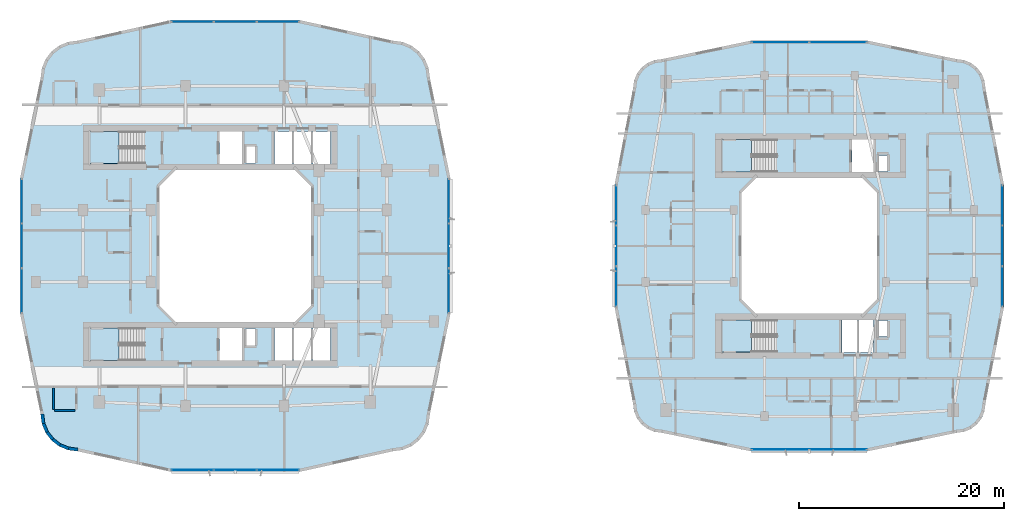
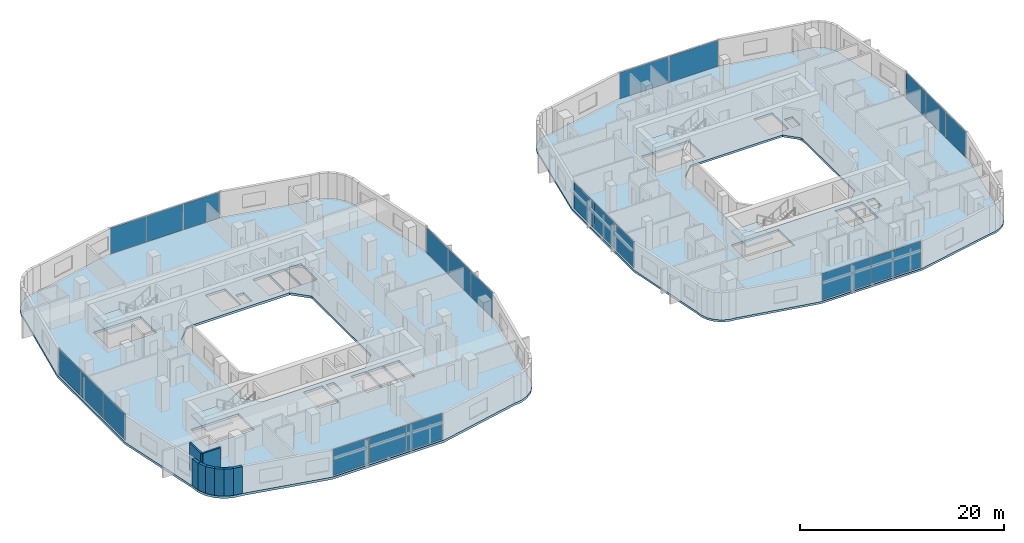
# One storey, part 12 of 26: 22 plates, 8 walls, 6 slabs, 12 elements without a shape of their own.
"""IFC4 building model written with IfcOpenShell, lengths in metres."""

from ifc_helpers import new_model, si_unit, derived_unit, direction, frame, frame_2d, origin, origin_2d, place, context, subcontext, project, spatial, polyline, rectangle, outline, extrude, material, layer, layer_set, type_object, element, aggregate, save


model = new_model("IFC4")

# Units and contexts
model_context = context("Model", 3, precision=1e-05, world=origin(), true_north=direction((0.0, 1.0)))
body_context = subcontext(model_context, "Body", "Model", "MODEL_VIEW")
ifc_project = project(units=[si_unit("LENGTHUNIT", "METRE"), si_unit("AREAUNIT", "SQUARE_METRE"), si_unit("VOLUMEUNIT", "CUBIC_METRE"), si_unit("PLANEANGLEUNIT", "RADIAN"), si_unit("MASSUNIT", "GRAM", prefix="KILO"), derived_unit("THERMALTRANSMITTANCEUNIT", [(si_unit("POWERUNIT", "WATT"), 1), (si_unit("LENGTHUNIT", "METRE"), -2), (si_unit("THERMODYNAMICTEMPERATUREUNIT", "KELVIN"), -1)])], contexts=[model_context])

# Site, building, storey
site_placement = place(None, origin())
site = spatial("IfcSite", under=ifc_project, at=site_placement, CompositionType="ELEMENT")
building_placement = place(site_placement, origin())
building = spatial("IfcBuilding", under=site, at=building_placement, Name="Kivonza Crest Hotel", CompositionType="ELEMENT")
storey_placement = place(building_placement, frame((0.0, 0.0, 45.0)))
storey = spatial("IfcBuildingStorey", under=building, at=storey_placement, Name="L11", CompositionType="ELEMENT", Elevation=45.0)

# Curtain wall, plates
ifc_material_1 = material(Name="Anodised bronze aluminium and low-E double glazing", Category="aluminium")
ifc_layer_1 = layer(ifc_material_1, 0.179931640625)
ifc_layer_set_1 = layer_set([ifc_layer_1], Name="Anodised bronze aluminium and low-E double glazing")
curtain_wall_type_1 = type_object("IfcCurtainWallType", Name="CW-SYS-2", PredefinedType="NOTDEFINED", material=ifc_layer_set_1)
curtain_wall_1_placement = place(storey_placement, origin())
curtain_wall_1 = element("IfcCurtainWall", 1, at=curtain_wall_1_placement, inside=storey, type_object=curtain_wall_type_1, Name="L11 unitised curtain wall CW-T1-L11-08", PredefinedType="NOTDEFINED")
ifc_material_2 = material(Name="Solar-control low-E double glazing", Category="glass")
ifc_layer_2 = layer(ifc_material_2, 0.028076171875)
ifc_layer_set_2 = layer_set([ifc_layer_2], Name="Solar-control low-E double glazing")
plate_type = type_object("IfcPlateType", Name="CW-PNL-28", PredefinedType="CURTAIN_PANEL", material=ifc_layer_set_2)
plate_1_placement = place(storey_placement, frame((16.890869140625, 3.159912109375, 0.06494140625), z_axis=(0.0, 0.0, 1.0), x_axis=(1.0, 0.0, 0.0)))
plate_1 = element("IfcPlate", 2, at=plate_1_placement, type_object=plate_type, Name="CW-2 panel 1.1", PredefinedType="CURTAIN_PANEL", context=body_context, shape_type="SweptSolid", body=[
    extrude(rectangle(XDim=4.06787109375, YDim=0.028076171875, at=origin_2d()), origin(), (0.0, 0.0, 1.0), 3.090087890625),
])
plate_2_placement = place(storey_placement, frame((21.0400390625, 3.159912109375, 0.06494140625), z_axis=(0.0, 0.0, 1.0), x_axis=(1.0, 0.0, 0.0)))
plate_2 = element("IfcPlate", 3, at=plate_2_placement, type_object=plate_type, Name="CW-2 panel 2.1", PredefinedType="CURTAIN_PANEL", context=body_context, shape_type="SweptSolid", body=[
    extrude(rectangle(XDim=4.100341796875, YDim=0.028076171875, at=origin_2d()), origin(), (0.0, 0.0, 1.0), 3.090087890625),
])
plate_3_placement = place(storey_placement, frame((25.18896484375, 3.159912109375, 0.06494140625), z_axis=(0.0, 0.0, 1.0), x_axis=(1.0, 0.0, 0.0)))
plate_3 = element("IfcPlate", 4, at=plate_3_placement, type_object=plate_type, Name="CW-2 panel 3.1", PredefinedType="CURTAIN_PANEL", context=body_context, shape_type="SweptSolid", body=[
    extrude(rectangle(XDim=4.06787109375, YDim=0.028076171875, at=origin_2d()), origin(), (0.0, 0.0, 1.0), 3.090087890625),
])
aggregate(curtain_wall_1, [plate_1, plate_2, plate_3])

curtain_wall_2_placement = place(storey_placement, origin())
curtain_wall_2 = element("IfcCurtainWall", 5, at=curtain_wall_2_placement, inside=storey, type_object=curtain_wall_type_1, Name="L11 unitised curtain wall CW-T1-L11-17", PredefinedType="NOTDEFINED")
plate_4_placement = place(storey_placement, frame((41.840087890625, 20.642822265625, 0.06494140625), z_axis=(0.0, 0.0, 1.0), x_axis=(0.0, 1.0, 0.0)))
plate_4 = element("IfcPlate", 6, at=plate_4_placement, type_object=plate_type, Name="CW-2 panel 1.1", PredefinedType="CURTAIN_PANEL", context=body_context, shape_type="SweptSolid", body=[
    extrude(rectangle(XDim=4.27587890625, YDim=0.028076171875, at=origin_2d()), origin(), (0.0, 0.0, 1.0), 3.090087890625),
])
plate_5_placement = place(storey_placement, frame((41.840087890625, 25.0, 0.06494140625), z_axis=(0.0, 0.0, 1.0), x_axis=(0.0, 1.0, 0.0)))
plate_5 = element("IfcPlate", 7, at=plate_5_placement, type_object=plate_type, Name="CW-2 panel 2.1", PredefinedType="CURTAIN_PANEL", context=body_context, shape_type="SweptSolid", body=[
    extrude(rectangle(XDim=4.308349609375, YDim=0.028076171875, at=origin_2d()), origin(), (0.0, 0.0, 1.0), 3.090087890625),
])
plate_6_placement = place(storey_placement, frame((41.840087890625, 29.357177734375, 0.06494140625), z_axis=(0.0, 0.0, 1.0), x_axis=(0.0, 1.0, 0.0)))
plate_6 = element("IfcPlate", 8, at=plate_6_placement, type_object=plate_type, Name="CW-2 panel 3.1", PredefinedType="CURTAIN_PANEL", context=body_context, shape_type="SweptSolid", body=[
    extrude(rectangle(XDim=4.27587890625, YDim=0.028076171875, at=origin_2d()), origin(), (0.0, 0.0, 1.0), 3.090087890625),
])
aggregate(curtain_wall_2, [plate_4, plate_5, plate_6])

curtain_wall_3_placement = place(storey_placement, origin())
curtain_wall_3 = element("IfcCurtainWall", 9, at=curtain_wall_3_placement, inside=storey, type_object=curtain_wall_type_1, Name="L11 unitised curtain wall CW-T1-L11-26", PredefinedType="NOTDEFINED")
plate_7_placement = place(storey_placement, frame((25.18896484375, 46.840087890625, 0.06494140625), z_axis=(0.0, 0.0, 1.0), x_axis=(-1.0, 0.0, 0.0)))
plate_7 = element("IfcPlate", 10, at=plate_7_placement, type_object=plate_type, Name="CW-2 panel 1.1", PredefinedType="CURTAIN_PANEL", context=body_context, shape_type="SweptSolid", body=[
    extrude(rectangle(XDim=4.06787109375, YDim=0.028076171875, at=origin_2d()), origin(), (0.0, 0.0, 1.0), 3.090087890625),
])
plate_8_placement = place(storey_placement, frame((21.0400390625, 46.840087890625, 0.06494140625), z_axis=(0.0, 0.0, 1.0), x_axis=(-1.0, 0.0, 0.0)))
plate_8 = element("IfcPlate", 11, at=plate_8_placement, type_object=plate_type, Name="CW-2 panel 2.1", PredefinedType="CURTAIN_PANEL", context=body_context, shape_type="SweptSolid", body=[
    extrude(rectangle(XDim=4.100341796875, YDim=0.028076171875, at=origin_2d()), origin(), (0.0, 0.0, 1.0), 3.090087890625),
])
plate_9_placement = place(storey_placement, frame((16.890869140625, 46.840087890625, 0.06494140625), z_axis=(0.0, 0.0, 1.0), x_axis=(-1.0, 0.0, 0.0)))
plate_9 = element("IfcPlate", 12, at=plate_9_placement, type_object=plate_type, Name="CW-2 panel 3.1", PredefinedType="CURTAIN_PANEL", context=body_context, shape_type="SweptSolid", body=[
    extrude(rectangle(XDim=4.06787109375, YDim=0.028076171875, at=origin_2d()), origin(), (0.0, 0.0, 1.0), 3.090087890625),
])
aggregate(curtain_wall_3, [plate_7, plate_8, plate_9])

curtain_wall_4_placement = place(storey_placement, origin())
curtain_wall_4 = element("IfcCurtainWall", 13, at=curtain_wall_4_placement, inside=storey, type_object=curtain_wall_type_1, Name="L11 unitised curtain wall CW-T1-L11-35", PredefinedType="NOTDEFINED")
plate_10_placement = place(storey_placement, frame((0.239990234375, 29.357177734375, 0.06494140625), z_axis=(0.0, 0.0, 1.0), x_axis=(0.0, -1.0, 0.0)))
plate_10 = element("IfcPlate", 14, at=plate_10_placement, type_object=plate_type, Name="CW-2 panel 1.1", PredefinedType="CURTAIN_PANEL", context=body_context, shape_type="SweptSolid", body=[
    extrude(rectangle(XDim=4.27587890625, YDim=0.028076171875, at=origin_2d()), origin(), (0.0, 0.0, 1.0), 3.090087890625),
])
plate_11_placement = place(storey_placement, frame((0.239990234375, 25.0, 0.06494140625), z_axis=(0.0, 0.0, 1.0), x_axis=(0.0, -1.0, 0.0)))
plate_11 = element("IfcPlate", 15, at=plate_11_placement, type_object=plate_type, Name="CW-2 panel 2.1", PredefinedType="CURTAIN_PANEL", context=body_context, shape_type="SweptSolid", body=[
    extrude(rectangle(XDim=4.308349609375, YDim=0.028076171875, at=origin_2d()), origin(), (0.0, 0.0, 1.0), 3.090087890625),
])
plate_12_placement = place(storey_placement, frame((0.239990234375, 20.642822265625, 0.06494140625), z_axis=(0.0, 0.0, 1.0), x_axis=(0.0, -1.0, 0.0)))
plate_12 = element("IfcPlate", 16, at=plate_12_placement, type_object=plate_type, Name="CW-2 panel 3.1", PredefinedType="CURTAIN_PANEL", context=body_context, shape_type="SweptSolid", body=[
    extrude(rectangle(XDim=4.27587890625, YDim=0.028076171875, at=origin_2d()), origin(), (0.0, 0.0, 1.0), 3.090087890625),
])
aggregate(curtain_wall_4, [plate_10, plate_11, plate_12])

ifc_layer_3 = layer(ifc_material_1, 0.179931640625)
ifc_layer_set_3 = layer_set([ifc_layer_3], Name="Anodised bronze aluminium and low-E double glazing")
curtain_wall_type_2 = type_object("IfcCurtainWallType", Name="CW-SYS-4", PredefinedType="NOTDEFINED", material=ifc_layer_set_3)
curtain_wall_5_placement = place(storey_placement, origin())
curtain_wall_5 = element("IfcCurtainWall", 17, at=curtain_wall_5_placement, inside=storey, type_object=curtain_wall_type_2, Name="L11 unitised curtain wall CW-T2-L11-08", PredefinedType="NOTDEFINED")
plate_13_placement = place(storey_placement, frame((74.15234375, 5.159912109375, 0.06494140625), z_axis=(0.0, 0.0, 1.0), x_axis=(1.0, 0.0, 0.0)))
plate_13 = element("IfcPlate", 18, at=plate_13_placement, type_object=plate_type, Name="CW-4 panel 1.1", PredefinedType="CURTAIN_PANEL", context=body_context, shape_type="SweptSolid", body=[
    extrude(rectangle(XDim=5.550537109375, YDim=0.028076171875, at=origin_2d()), origin(), (0.0, 0.0, 1.0), 3.1201171875),
])
plate_14_placement = place(storey_placement, frame((79.767822265625, 5.159912109375, 0.06494140625), z_axis=(0.0, 0.0, 1.0), x_axis=(1.0, 0.0, 0.0)))
plate_14 = element("IfcPlate", 19, at=plate_14_placement, type_object=plate_type, Name="CW-4 panel 2.1", PredefinedType="CURTAIN_PANEL", context=body_context, shape_type="SweptSolid", body=[
    extrude(rectangle(XDim=5.550537109375, YDim=0.028076171875, at=origin_2d()), origin(), (0.0, 0.0, 1.0), 3.1201171875),
])
aggregate(curtain_wall_5, [plate_13, plate_14])

curtain_wall_6_placement = place(storey_placement, origin())
curtain_wall_6 = element("IfcCurtainWall", 20, at=curtain_wall_6_placement, inside=storey, type_object=curtain_wall_type_2, Name="L11 unitised curtain wall CW-T2-L11-17", PredefinedType="NOTDEFINED")
plate_15_placement = place(storey_placement, frame((95.760009765625, 21.04296875, 0.06494140625), z_axis=(0.0, 0.0, 1.0), x_axis=(0.0, 1.0, 0.0)))
plate_15 = element("IfcPlate", 21, at=plate_15_placement, type_object=plate_type, Name="CW-4 panel 1.1", PredefinedType="CURTAIN_PANEL", context=body_context, shape_type="SweptSolid", body=[
    extrude(rectangle(XDim=3.875732421875, YDim=0.028076171875, at=origin_2d()), origin(), (0.0, 0.0, 1.0), 3.1201171875),
])
plate_16_placement = place(storey_placement, frame((95.760009765625, 25.0, 0.06494140625), z_axis=(0.0, 0.0, 1.0), x_axis=(0.0, 1.0, 0.0)))
plate_16 = element("IfcPlate", 22, at=plate_16_placement, type_object=plate_type, Name="CW-4 panel 2.1", PredefinedType="CURTAIN_PANEL", context=body_context, shape_type="SweptSolid", body=[
    extrude(rectangle(XDim=3.908447265625, YDim=0.028076171875, at=origin_2d()), origin(), (0.0, 0.0, 1.0), 3.1201171875),
])
plate_17_placement = place(storey_placement, frame((95.760009765625, 28.95703125, 0.06494140625), z_axis=(0.0, 0.0, 1.0), x_axis=(0.0, 1.0, 0.0)))
plate_17 = element("IfcPlate", 23, at=plate_17_placement, type_object=plate_type, Name="CW-4 panel 3.1", PredefinedType="CURTAIN_PANEL", context=body_context, shape_type="SweptSolid", body=[
    extrude(rectangle(XDim=3.875732421875, YDim=0.028076171875, at=origin_2d()), origin(), (0.0, 0.0, 1.0), 3.1201171875),
])
aggregate(curtain_wall_6, [plate_15, plate_16, plate_17])

curtain_wall_7_placement = place(storey_placement, origin())
curtain_wall_7 = element("IfcCurtainWall", 24, at=curtain_wall_7_placement, inside=storey, type_object=curtain_wall_type_2, Name="L11 unitised curtain wall CW-T2-L11-26", PredefinedType="NOTDEFINED")
plate_18_placement = place(storey_placement, frame((79.767822265625, 44.840087890625, 0.06494140625), z_axis=(0.0, 0.0, 1.0), x_axis=(-1.0, 0.0, 0.0)))
plate_18 = element("IfcPlate", 25, at=plate_18_placement, type_object=plate_type, Name="CW-4 panel 1.1", PredefinedType="CURTAIN_PANEL", context=body_context, shape_type="SweptSolid", body=[
    extrude(rectangle(XDim=5.550537109375, YDim=0.028076171875, at=origin_2d()), origin(), (0.0, 0.0, 1.0), 3.1201171875),
])
plate_19_placement = place(storey_placement, frame((74.15234375, 44.840087890625, 0.06494140625), z_axis=(0.0, 0.0, 1.0), x_axis=(-1.0, 0.0, 0.0)))
plate_19 = element("IfcPlate", 26, at=plate_19_placement, type_object=plate_type, Name="CW-4 panel 2.1", PredefinedType="CURTAIN_PANEL", context=body_context, shape_type="SweptSolid", body=[
    extrude(rectangle(XDim=5.550537109375, YDim=0.028076171875, at=origin_2d()), origin(), (0.0, 0.0, 1.0), 3.1201171875),
])
aggregate(curtain_wall_7, [plate_18, plate_19])

curtain_wall_8_placement = place(storey_placement, origin())
curtain_wall_8 = element("IfcCurtainWall", 27, at=curtain_wall_8_placement, inside=storey, type_object=curtain_wall_type_2, Name="L11 unitised curtain wall CW-T2-L11-35", PredefinedType="NOTDEFINED")
plate_20_placement = place(storey_placement, frame((58.159912109375, 28.95703125, 0.06494140625), z_axis=(0.0, 0.0, 1.0), x_axis=(0.0, -1.0, 0.0)))
plate_20 = element("IfcPlate", 28, at=plate_20_placement, type_object=plate_type, Name="CW-4 panel 1.1", PredefinedType="CURTAIN_PANEL", context=body_context, shape_type="SweptSolid", body=[
    extrude(rectangle(XDim=3.875732421875, YDim=0.028076171875, at=origin_2d()), origin(), (0.0, 0.0, 1.0), 3.1201171875),
])
plate_21_placement = place(storey_placement, frame((58.159912109375, 25.0, 0.06494140625), z_axis=(0.0, 0.0, 1.0), x_axis=(0.0, -1.0, 0.0)))
plate_21 = element("IfcPlate", 29, at=plate_21_placement, type_object=plate_type, Name="CW-4 panel 2.1", PredefinedType="CURTAIN_PANEL", context=body_context, shape_type="SweptSolid", body=[
    extrude(rectangle(XDim=3.908447265625, YDim=0.028076171875, at=origin_2d()), origin(), (0.0, 0.0, 1.0), 3.1201171875),
])
plate_22_placement = place(storey_placement, frame((58.159912109375, 21.04296875, 0.06494140625), z_axis=(0.0, 0.0, 1.0), x_axis=(0.0, -1.0, 0.0)))
plate_22 = element("IfcPlate", 30, at=plate_22_placement, type_object=plate_type, Name="CW-4 panel 3.1", PredefinedType="CURTAIN_PANEL", context=body_context, shape_type="SweptSolid", body=[
    extrude(rectangle(XDim=3.875732421875, YDim=0.028076171875, at=origin_2d()), origin(), (0.0, 0.0, 1.0), 3.1201171875),
])
aggregate(curtain_wall_8, [plate_20, plate_21, plate_22])

# Slab
ifc_material_3 = material(Name="Concrete C40/50", Category="concrete")
ifc_layer_4 = layer(ifc_material_3, 0.280029296875)
ifc_layer_set_4 = layer_set([ifc_layer_4], Name="Concrete C40/50")
slab_type_1 = type_object("IfcSlabType", Name="SL-HTL-280", PredefinedType="FLOOR", material=ifc_layer_set_4)
slab_1_placement = place(storey_placement, frame((0.0, 0.0, -0.280029296875)))
element("IfcSlab", 31, at=slab_1_placement, inside=storey, type_object=slab_type_1, Name="Tower T1 L11 floor slab", PredefinedType="FLOOR", context=body_context, shape_type="SweptSolid", body=[
    extrude(outline(polyline([(2.080078125, 8.60009765625), (2.202880859375, 7.66796875), (2.56201171875, 6.800048828125), (3.134033203125, 6.053955078125), (3.8798828125, 5.48193359375), (4.748046875, 5.123046875), (5.679931640625, 5.0), (14.751953125, 3.0), (27.327880859375, 3.0), (36.39990234375, 5.0), (37.33203125, 5.123046875), (38.199951171875, 5.48193359375), (38.946044921875, 6.053955078125), (39.51806640625, 6.800048828125), (39.876953125, 7.66796875), (40.0, 8.60009765625), (42.0, 18.39990234375), (42.0, 31.60009765625), (40.0, 41.39990234375), (39.876953125, 42.33203125), (39.51806640625, 43.199951171875), (38.946044921875, 43.946044921875), (38.199951171875, 44.51806640625), (37.33203125, 44.876953125), (36.39990234375, 45.0), (27.327880859375, 47.0), (14.751953125, 47.0), (5.679931640625, 45.0), (4.748046875, 44.876953125), (3.8798828125, 44.51806640625), (3.134033203125, 43.946044921875), (2.56201171875, 43.199951171875), (2.202880859375, 42.33203125), (2.080078125, 41.39990234375), (0.080078125, 31.60009765625), (0.080078125, 18.39990234375), (2.080078125, 8.60009765625)]), holes=[polyline([(15.239990234375, 17.60009765625), (26.840087890625, 17.60009765625), (28.43994140625, 19.199951171875), (28.43994140625, 30.800048828125), (26.840087890625, 32.39990234375), (15.239990234375, 32.39990234375), (13.639892578125, 30.800048828125), (13.639892578125, 19.199951171875), (15.239990234375, 17.60009765625)]), polyline([(6.800048828125, 33.02001953125), (12.159912109375, 33.02001953125), (12.159912109375, 36.159912109375), (6.800048828125, 36.159912109375), (6.800048828125, 33.02001953125)]), polyline([(6.800048828125, 13.860107421875), (12.159912109375, 13.860107421875), (12.159912109375, 17.0), (6.800048828125, 17.0), (6.800048828125, 13.860107421875)]), polyline([(22.080078125, 33.0400390625), (22.969970703125, 33.0400390625), (22.969970703125, 34.679931640625), (22.080078125, 34.679931640625), (22.080078125, 33.0400390625)]), polyline([(22.080078125, 15.320068359375), (22.969970703125, 15.320068359375), (22.969970703125, 16.9599609375), (22.080078125, 16.9599609375), (22.080078125, 15.320068359375)]), polyline([(19.5, 33.0), (21.699951171875, 33.0), (21.699951171875, 36.159912109375), (19.5, 36.159912109375), (19.5, 33.0)]), polyline([(24.860107421875, 33.0), (26.60693359375, 33.0), (26.60693359375, 36.159912109375), (24.860107421875, 36.159912109375), (24.860107421875, 33.0)]), polyline([(26.72705078125, 33.0), (28.472900390625, 33.0), (28.472900390625, 36.159912109375), (26.72705078125, 36.159912109375), (26.72705078125, 33.0)]), polyline([(28.593017578125, 33.0), (30.340087890625, 33.0), (30.340087890625, 36.159912109375), (28.593017578125, 36.159912109375), (28.593017578125, 33.0)]), polyline([(19.5, 13.840087890625), (21.699951171875, 13.840087890625), (21.699951171875, 17.0), (19.5, 17.0), (19.5, 13.840087890625)]), polyline([(24.860107421875, 13.840087890625), (26.60693359375, 13.840087890625), (26.60693359375, 17.0), (24.860107421875, 17.0), (24.860107421875, 13.840087890625)]), polyline([(26.72705078125, 13.840087890625), (28.472900390625, 13.840087890625), (28.472900390625, 17.0), (26.72705078125, 17.0), (26.72705078125, 13.840087890625)]), polyline([(28.593017578125, 13.840087890625), (30.340087890625, 13.840087890625), (30.340087890625, 17.0), (28.593017578125, 17.0), (28.593017578125, 13.840087890625)])]), origin(), (0.0, 0.0, 1.0), 0.280029296875),
])

# Stair, slab
stair_type = type_object("IfcStairType", Name="ST-DL-20R", PredefinedType="HALF_TURN_STAIR", material=ifc_material_3)
stair_1_placement = place(storey_placement, origin())
stair_1 = element("IfcStair", 32, at=stair_1_placement, inside=storey, type_object=stair_type, Name="L11 Protected Exit Stair ST-T1-N", PredefinedType="HALF_TURN_STAIR")
ifc_layer_5 = layer(ifc_material_3, 0.199951171875)
ifc_layer_set_5 = layer_set([ifc_layer_5], Name="Concrete C40/50")
slab_type_2 = type_object("IfcSlabType", Name="SL-LAND-200", PredefinedType="LANDING", material=ifc_layer_set_5)
slab_2_placement = place(storey_placement, frame((0.0, 0.0, 1.550048828125)))
slab_2 = element("IfcSlab", 33, at=slab_2_placement, type_object=slab_type_2, Name="ST-T1-N landing 1", PredefinedType="LANDING", context=body_context, shape_type="SweptSolid", body=[
    extrude(outline(polyline([(9.719970703125, 36.159912109375), (6.800048828125, 36.159912109375), (6.800048828125, 33.02001953125), (9.719970703125, 33.02001953125), (9.719970703125, 36.159912109375)])), origin(), (0.0, 0.0, 1.0), 0.199951171875),
])
aggregate(stair_1, [slab_2])

stair_2_placement = place(storey_placement, origin())
stair_2 = element("IfcStair", 34, at=stair_2_placement, inside=storey, type_object=stair_type, Name="L11 Protected Exit Stair ST-T1-S", PredefinedType="HALF_TURN_STAIR")
slab_3_placement = place(storey_placement, frame((0.0, 0.0, 1.550048828125)))
slab_3 = element("IfcSlab", 35, at=slab_3_placement, type_object=slab_type_2, Name="ST-T1-S landing 1", PredefinedType="LANDING", context=body_context, shape_type="SweptSolid", body=[
    extrude(outline(polyline([(9.719970703125, 17.0), (6.800048828125, 17.0), (6.800048828125, 13.860107421875), (9.719970703125, 13.860107421875), (9.719970703125, 17.0)])), origin(), (0.0, 0.0, 1.0), 0.199951171875),
])
aggregate(stair_2, [slab_3])

stair_3_placement = place(storey_placement, origin())
stair_3 = element("IfcStair", 36, at=stair_3_placement, inside=storey, type_object=stair_type, Name="L11 Protected Exit Stair ST-T2-N", PredefinedType="HALF_TURN_STAIR")
slab_4_placement = place(storey_placement, frame((0.0, 0.0, 1.550048828125)))
slab_4 = element("IfcSlab", 37, at=slab_4_placement, type_object=slab_type_2, Name="ST-T2-N landing 1", PredefinedType="LANDING", context=body_context, shape_type="SweptSolid", body=[
    extrude(outline(polyline([(71.320068359375, 35.360107421875), (68.39990234375, 35.360107421875), (68.39990234375, 32.219970703125), (71.320068359375, 32.219970703125), (71.320068359375, 35.360107421875)])), origin(), (0.0, 0.0, 1.0), 0.199951171875),
])
aggregate(stair_3, [slab_4])

stair_4_placement = place(storey_placement, origin())
stair_4 = element("IfcStair", 38, at=stair_4_placement, inside=storey, type_object=stair_type, Name="L11 Protected Exit Stair ST-T2-S", PredefinedType="HALF_TURN_STAIR")
slab_5_placement = place(storey_placement, frame((0.0, 0.0, 1.550048828125)))
slab_5 = element("IfcSlab", 39, at=slab_5_placement, type_object=slab_type_2, Name="ST-T2-S landing 1", PredefinedType="LANDING", context=body_context, shape_type="SweptSolid", body=[
    extrude(outline(polyline([(71.320068359375, 17.800048828125), (68.39990234375, 17.800048828125), (68.39990234375, 14.659912109375), (71.320068359375, 14.659912109375), (71.320068359375, 17.800048828125)])), origin(), (0.0, 0.0, 1.0), 0.199951171875),
])
aggregate(stair_4, [slab_5])

# Slab
ifc_layer_6 = layer(ifc_material_3, 0.25)
ifc_layer_set_6 = layer_set([ifc_layer_6], Name="Concrete C40/50")
slab_type_3 = type_object("IfcSlabType", Name="SL-RES-250", PredefinedType="FLOOR", material=ifc_layer_set_6)
slab_6_placement = place(storey_placement, frame((0.0, 0.0, -0.25)))
element("IfcSlab", 40, at=slab_6_placement, inside=storey, type_object=slab_type_3, Name="Companion Tower T2 L11 floor slab", PredefinedType="FLOOR", context=body_context, shape_type="SweptSolid", body=[
    extrude(outline(polyline([(59.800048828125, 9.60009765625), (59.89501953125, 8.875), (60.175048828125, 8.199951171875), (60.6201171875, 7.6201171875), (61.199951171875, 7.175048828125), (61.875, 6.89501953125), (62.60009765625, 6.800048828125), (71.27197265625, 5.0), (82.64794921875, 5.0), (91.320068359375, 6.800048828125), (92.044921875, 6.89501953125), (92.719970703125, 7.175048828125), (93.300048828125, 7.6201171875), (93.7451171875, 8.199951171875), (94.02490234375, 8.875), (94.1201171875, 9.60009765625), (95.919921875, 19.0), (95.919921875, 31.0), (94.1201171875, 40.39990234375), (94.02490234375, 41.125), (93.7451171875, 41.800048828125), (93.300048828125, 42.3798828125), (92.719970703125, 42.824951171875), (92.044921875, 43.10498046875), (91.320068359375, 43.199951171875), (82.64794921875, 45.0), (71.27197265625, 45.0), (62.60009765625, 43.199951171875), (61.875, 43.10498046875), (61.199951171875, 42.824951171875), (60.6201171875, 42.3798828125), (60.175048828125, 41.800048828125), (59.89501953125, 41.125), (59.800048828125, 40.39990234375), (58.0, 31.0), (58.0, 19.0), (59.800048828125, 9.60009765625)]), holes=[polyline([(71.760009765625, 18.39990234375), (82.159912109375, 18.39990234375), (83.56005859375, 19.800048828125), (83.56005859375, 30.199951171875), (82.159912109375, 31.60009765625), (71.760009765625, 31.60009765625), (70.360107421875, 30.199951171875), (70.360107421875, 19.800048828125), (71.760009765625, 18.39990234375)]), polyline([(68.39990234375, 32.219970703125), (73.760009765625, 32.219970703125), (73.760009765625, 35.360107421875), (68.39990234375, 35.360107421875), (68.39990234375, 32.219970703125)]), polyline([(68.39990234375, 14.659912109375), (73.760009765625, 14.659912109375), (73.760009765625, 17.800048828125), (68.39990234375, 17.800048828125), (68.39990234375, 14.659912109375)]), polyline([(83.679931640625, 32.239990234375), (84.570068359375, 32.239990234375), (84.570068359375, 33.820068359375), (83.679931640625, 33.820068359375), (83.679931640625, 32.239990234375)]), polyline([(83.679931640625, 16.179931640625), (84.570068359375, 16.179931640625), (84.570068359375, 17.760009765625), (83.679931640625, 17.760009765625), (83.679931640625, 16.179931640625)]), polyline([(81.10009765625, 32.199951171875), (83.199951171875, 32.199951171875), (83.199951171875, 35.360107421875), (81.10009765625, 35.360107421875), (81.10009765625, 32.199951171875)]), polyline([(80.159912109375, 14.639892578125), (81.639892578125, 14.639892578125), (81.639892578125, 17.800048828125), (80.159912109375, 17.800048828125), (80.159912109375, 14.639892578125)]), polyline([(81.760009765625, 14.639892578125), (83.239990234375, 14.639892578125), (83.239990234375, 17.800048828125), (81.760009765625, 17.800048828125), (81.760009765625, 14.639892578125)])]), origin(), (0.0, 0.0, 1.0), 0.25),
])

# Walls
ifc_material_4 = material(Name="Precast concrete C40/50", Category="concrete")
ifc_layer_7 = layer(ifc_material_4, 0.300048828125)
ifc_layer_set_7 = layer_set([ifc_layer_7], Name="Precast concrete C40/50")
wall_type_1 = type_object("IfcWallType", Name="WL-EXT-300", PredefinedType="STANDARD", material=ifc_layer_set_7)
wall_1_placement = place(storey_placement, frame((2.22802734375, 8.6279296875, 0.0), z_axis=(0.0, 0.0, 1.0), x_axis=(0.131174864804, -0.991359246108, 0.0)))
element("IfcWall", 41, at=wall_1_placement, inside=storey, type_object=wall_type_1, Name="L11 T1 exterior insulated wall 1", PredefinedType="STANDARD", context=body_context, shape_type="SweptSolid", body=[
    extrude(rectangle(XDim=0.93798828125, YDim=0.300048828125, at=frame_2d((0.468994140625, 0.0))), origin(), (0.0, 0.0, 1.0), 3.219970703125),
])
wall_2_placement = place(storey_placement, frame((2.33203125, 7.748046875, 0.0), z_axis=(0.0, 0.0, 1.0), x_axis=(0.382344263057, -0.924019948111, 0.0)))
element("IfcWall", 42, at=wall_2_placement, inside=storey, type_object=wall_type_1, Name="L11 T1 exterior insulated wall 2", PredefinedType="STANDARD", context=body_context, shape_type="SweptSolid", body=[
    extrude(rectangle(XDim=0.95458984375, YDim=0.300048828125, at=frame_2d((0.477294921875, 0.0))), origin(), (0.0, 0.0, 1.0), 3.219970703125),
])
for number, where, z_axis, x_axis, name in (
    (43, (2.666015625, 6.910888671875, 0.0), (0.0, 0.0, 1.0), (0.608474481025, -0.793573440799, 0.0), "L11 T1 exterior insulated wall 3"),
    (44, (3.205078125, 6.18798828125, 0.0), (0.0, 0.0, 1.0), (0.793573440799, -0.608474481025, 0.0), "L11 T1 exterior insulated wall 4"),
):
    element("IfcWall", number, at=place(storey_placement, frame(where, z_axis=z_axis, x_axis=x_axis)), inside=storey, type_object=wall_type_1, Name=name, PredefinedType="STANDARD", context=body_context, shape_type="SweptSolid", body=[
        extrude(rectangle(XDim=0.954833984375, YDim=0.300048828125, at=frame_2d((0.4775390625, 0.0))), origin(), (0.0, 0.0, 1.0), 3.219970703125),
    ])
wall_3_placement = place(storey_placement, frame((3.9140625, 5.631103515625, 0.0), z_axis=(0.0, 0.0, 1.0), x_axis=(0.923982547689, -0.382434636986, 0.0)))
element("IfcWall", 45, at=wall_3_placement, inside=storey, type_object=wall_type_1, Name="L11 T1 exterior insulated wall 5", PredefinedType="STANDARD", context=body_context, shape_type="SweptSolid", body=[
    extrude(rectangle(XDim=0.954345703125, YDim=0.300048828125, at=frame_2d((0.47705078125, 0.0))), origin(), (0.0, 0.0, 1.0), 3.219970703125),
])
wall_4_placement = place(storey_placement, frame((4.742919921875, 5.27490234375, 0.0), z_axis=(0.0, 0.0, 1.0), x_axis=(0.99145856342, -0.130422072598, 0.0)))
element("IfcWall", 46, at=wall_4_placement, inside=storey, type_object=wall_type_1, Name="L11 T1 exterior insulated wall 6", PredefinedType="STANDARD", context=body_context, shape_type="SweptSolid", body=[
    extrude(rectangle(XDim=0.973388671875, YDim=0.300048828125, at=frame_2d((0.48681640625, 0.0))), origin(), (0.0, 0.0, 1.0), 3.219970703125),
])
ifc_material_5 = material(Name="Moisture-resistant plumbing chase partition wall", Category="gypsum")
ifc_layer_8 = layer(ifc_material_5, 0.199951171875)
ifc_layer_set_8 = layer_set([ifc_layer_8], Name="Moisture-resistant plumbing chase partition wall")
wall_type_2 = type_object("IfcWallType", Name="WL-PLUMB-200", PredefinedType="PLUMBINGWALL", material=ifc_layer_set_8)
wall_5_placement = place(storey_placement, frame((3.449951171875, 8.949951171875, 0.0), z_axis=(0.0, 0.0, 1.0), x_axis=(1.0, 0.0, 0.0)))
element("IfcWall", 47, at=wall_5_placement, inside=storey, type_object=wall_type_2, Name="L11 interior partition WW-L11-S03-BH", PredefinedType="PLUMBINGWALL", context=body_context, shape_type="SweptSolid", body=[
    extrude(rectangle(XDim=2.0, YDim=0.199951171875, at=frame_2d((1.0, 0.0))), origin(), (0.0, 0.0, 1.0), 3.219970703125),
])
wall_6_placement = place(storey_placement, frame((3.35009765625, 9.050048828125, 0.0), z_axis=(0.0, 0.0, 1.0), x_axis=(0.0, 1.0, 0.0)))
element("IfcWall", 48, at=wall_6_placement, inside=storey, type_object=wall_type_2, Name="L11 interior partition WW-L11-S03-BVW", PredefinedType="PLUMBINGWALL", context=body_context, shape_type="SweptSolid", body=[
    extrude(rectangle(XDim=2.099853515625, YDim=0.199951171875, at=frame_2d((1.0498046875, 0.0))), origin(), (0.0, 0.0, 1.0), 3.219970703125),
])

save(model, "model.ifc")
